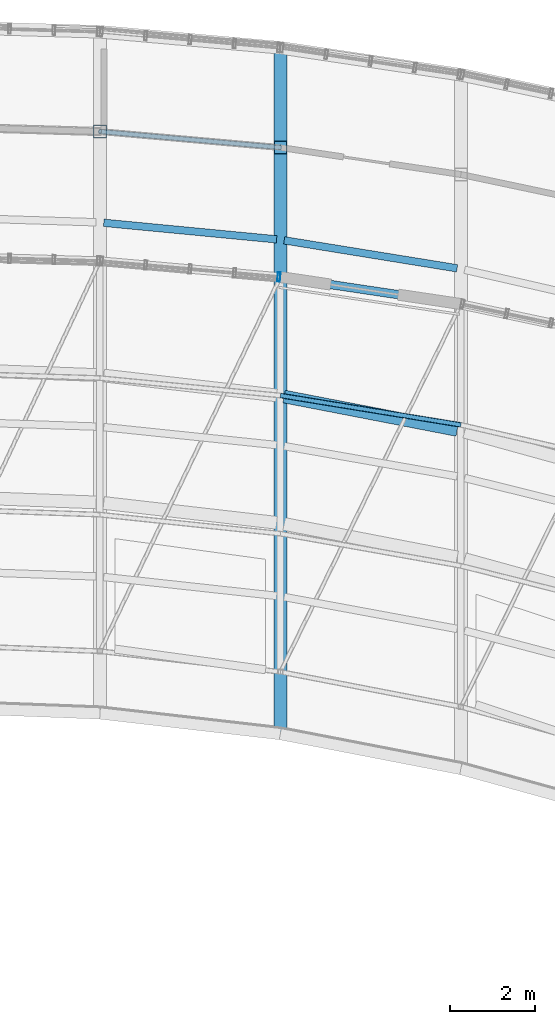
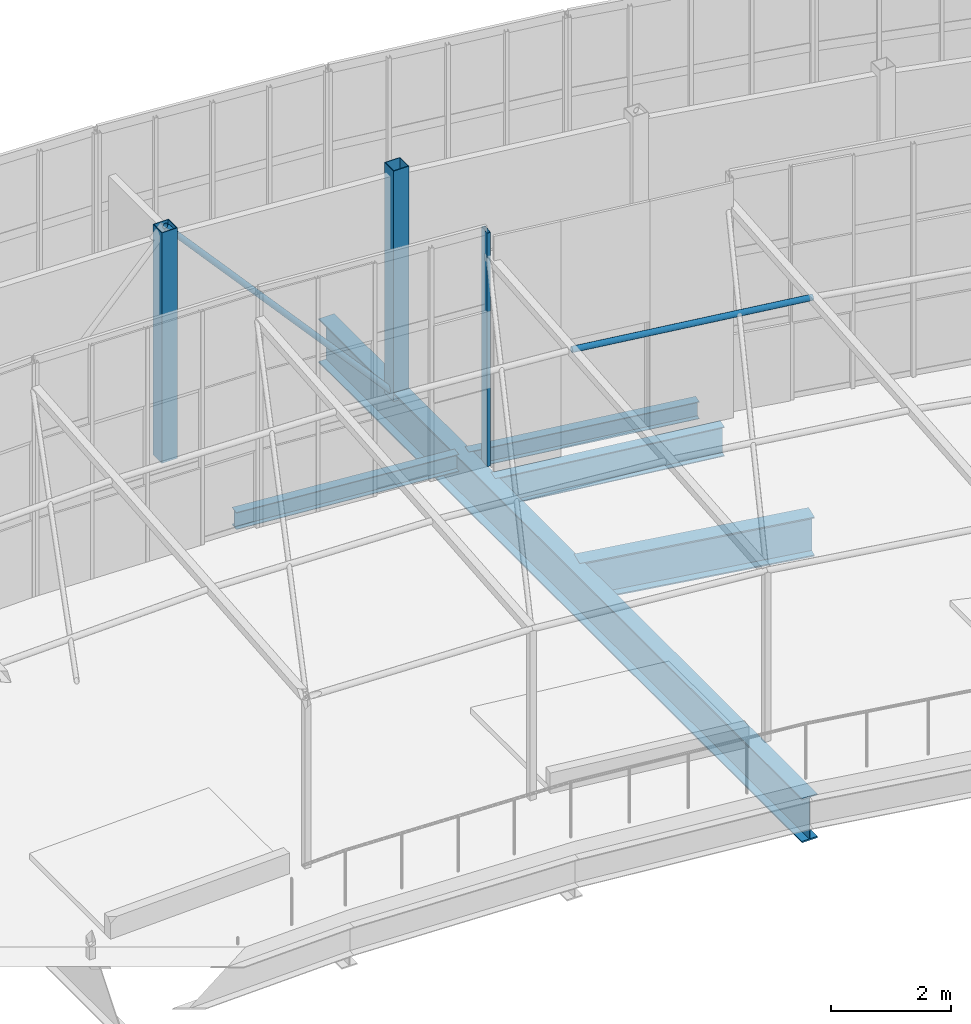
# One storey, part 21 of 35: 5 beams, 5 members, 1 element without a shape of its own.
"""IFC4 building model written with IfcOpenShell, lengths in metres."""

from ifc_helpers import new_model, si_unit, direction, frame, origin, origin_2d, place, context, subcontext, project, spatial, hollow_rectangle, hollow_circle, i_section, extrude, material, material_profile, profile_set, type_object, element, aggregate, save


model = new_model("IFC4")

# Units and contexts
model_context = context("Model", 3, precision=1e-05, world=origin(), true_north=direction((0.0, 1.0)))
body_context = subcontext(model_context, "Body", "Model", "MODEL_VIEW")
ifc_project = project(units=[si_unit("LENGTHUNIT", "METRE"), si_unit("AREAUNIT", "SQUARE_METRE"), si_unit("VOLUMEUNIT", "CUBIC_METRE"), si_unit("PLANEANGLEUNIT", "RADIAN"), si_unit("MASSUNIT", "GRAM", prefix="KILO")], contexts=[model_context])

# Site, building, storey
site_placement = place(None, origin())
site = spatial("IfcSite", under=ifc_project, at=site_placement, CompositionType="ELEMENT")
building_placement = place(site_placement, origin())
building = spatial("IfcBuilding", under=site, at=building_placement, Name="Solvikara Media Centre", CompositionType="ELEMENT")
storey_placement = place(building_placement, frame((0.0, 0.0, 29.39990234375)))
storey = spatial("IfcBuildingStorey", under=building, at=storey_placement, Name="L06", CompositionType="ELEMENT", Elevation=29.39990234375)

# Beams
ifc_material_1 = material(Name="Steel S355JR", Category="steel")
ifc_material_profile_1 = material_profile(ifc_material_1, i_section(OverallWidth=0.300048828125, OverallDepth=0.89990234375, WebThickness=0.01611328125, FlangeThickness=0.028076171875, at=origin_2d()), Name="WF 900x300x16x28")
ifc_profile_set_1 = profile_set([ifc_material_profile_1], Name="Steel S355JR")
beam_type_1 = type_object("IfcBeamType", Name="BM-15", PredefinedType="BEAM", material=ifc_profile_set_1)
beam_1_placement = place(storey_placement, frame((110.5, 24.818115234375, -0.721923828125), z_axis=(0.0, 1.0, 0.0), x_axis=(-1.0, 0.0, 0.0)))
element("IfcBeam", 1, at=beam_1_placement, inside=storey, type_object=beam_type_1, Name="BG-L06-NS-08", PredefinedType="BEAM", context=body_context, shape_type="SweptSolid", body=[
    extrude(i_section(OverallWidth=0.300048828125, OverallDepth=0.89990234375, WebThickness=0.01611328125, FlangeThickness=0.028076171875, at=origin_2d()), origin(), (0.0, 0.0, 1.0), 16.14599609375),
])
ifc_material_profile_2 = material_profile(ifc_material_1, i_section(OverallWidth=0.300048828125, OverallDepth=0.800048828125, WebThickness=0.013916015625, FlangeThickness=0.02587890625, at=origin_2d()), Name="WF 800x300x14x26")
ifc_profile_set_2 = profile_set([ifc_material_profile_2], Name="Steel S355JR")
beam_type_2 = type_object("IfcBeamType", Name="BM-16", PredefinedType="BEAM", material=ifc_profile_set_2)
beam_2_placement = place(storey_placement, frame((110.587890625, 32.7509765625, -0.671875), z_axis=(0.981801087979, -0.189912147171, 0.0), x_axis=(0.189912147171, 0.981801087979, 0.0)))
element("IfcBeam", 2, at=beam_2_placement, inside=storey, type_object=beam_type_2, Name="B-L06-SPNN-08", PredefinedType="BEAM", context=body_context, shape_type="SweptSolid", body=[
    extrude(i_section(OverallWidth=0.300048828125, OverallDepth=0.800048828125, WebThickness=0.013916015625, FlangeThickness=0.02587890625, at=origin_2d()), origin(), (0.0, 0.0, 1.0), 4.149658203125),
])
ifc_material_profile_3 = material_profile(ifc_material_1, i_section(OverallWidth=0.199951171875, OverallDepth=0.60009765625, WebThickness=0.010986328125, FlangeThickness=0.01708984375, at=origin_2d()), Name="WF 600x200x11x17")
ifc_profile_set_3 = profile_set([ifc_material_profile_3], Name="Steel S355JR")
beam_type_3 = type_object("IfcBeamType", Name="BM-18", PredefinedType="BEAM", material=ifc_profile_set_3)
beam_3_placement = place(storey_placement, frame((110.589111328125, 35.551025390625, -0.572021484375), z_axis=(0.98899456098, -0.147951878501, 0.0), x_axis=(0.147951878501, 0.98899456098, 0.0)))
element("IfcBeam", 3, at=beam_3_placement, inside=storey, type_object=beam_type_3, Name="BG-L06-GAL-09", PredefinedType="BEAM", context=body_context, shape_type="SweptSolid", body=[
    extrude(i_section(OverallWidth=0.199951171875, OverallDepth=0.60009765625, WebThickness=0.010986328125, FlangeThickness=0.01708984375, at=origin_2d()), origin(), (0.0, 0.0, 1.0), 4.1171875),
])
ifc_material_profile_4 = material_profile(ifc_material_1, i_section(OverallWidth=0.175048828125, OverallDepth=0.35009765625, WebThickness=0.007080078125, FlangeThickness=0.010986328125, at=origin_2d()), Name="WF 350x175x7x11")
ifc_profile_set_4 = profile_set([ifc_material_profile_4], Name="Steel S355JR")
beam_type_4 = type_object("IfcBeamType", Name="BM-22", PredefinedType="JOIST", material=ifc_profile_set_4)
beam_4_placement = place(storey_placement, frame((106.340087890625, 36.842041015625, -0.44482421875), z_axis=(0.995436776487, -0.095423393451, 0.0), x_axis=(0.095423393451, 0.995436776487, 0.0)))
element("IfcBeam", 4, at=beam_4_placement, inside=storey, type_object=beam_type_4, Name="BJ-L06-07-72", PredefinedType="JOIST", context=body_context, shape_type="SweptSolid", body=[
    extrude(i_section(OverallWidth=0.175048828125, OverallDepth=0.35009765625, WebThickness=0.007080078125, FlangeThickness=0.010986328125, at=origin_2d()), origin(), (0.0, 0.0, 1.0), 4.08837890625),
])
beam_5_placement = place(storey_placement, frame((110.589111328125, 36.428955078125, -0.44482421875), z_axis=(0.987157242896, -0.159751612818, 0.0), x_axis=(0.159751612818, 0.987157242896, 0.0)))
element("IfcBeam", 5, at=beam_5_placement, inside=storey, type_object=beam_type_4, Name="BJ-L06-08-72", PredefinedType="JOIST", context=body_context, shape_type="SweptSolid", body=[
    extrude(i_section(OverallWidth=0.175048828125, OverallDepth=0.35009765625, WebThickness=0.007080078125, FlangeThickness=0.010986328125, at=origin_2d()), origin(), (0.0, 0.0, 1.0), 4.124755859375),
])

# Members
ifc_material_profile_5 = material_profile(ifc_material_1, hollow_circle(Radius=0.05712890625, WallThickness=0.006103515625, at=origin_2d()), Name="CHS 114.3x6")
ifc_profile_set_5 = profile_set([ifc_material_profile_5], Name="Steel S355JR")
member_type_1 = type_object("IfcMemberType", Name="MB-09", PredefinedType="BRACE", material=ifc_profile_set_5)
member_1_placement = place(storey_placement, frame((106.25, 38.990966796875, 4.25), z_axis=(0.669526873178, -0.059383587557, -0.740410261693), x_axis=(0.088348026597, 0.996089667749, 0.0)))
element("IfcMember", 6, at=member_1_placement, inside=storey, type_object=member_type_1, Name="SKY-TR-M-DB07", PredefinedType="BRACE", context=body_context, shape_type="SweptSolid", body=[
    extrude(hollow_circle(Radius=0.05712890625, WallThickness=0.006103515625, at=origin_2d()), origin(), (0.0, 0.0, 1.0), 6.34765625),
])
member_2_placement = place(storey_placement, frame((110.5, 32.77490234375, 4.010009765625), z_axis=(0.987041960256, -0.160462359118, 0.0), x_axis=(0.160462359118, 0.987041960256, 0.0)))
element("IfcMember", 7, at=member_2_placement, inside=storey, type_object=member_type_1, Name="PERG-LVR-09-70", PredefinedType="BRACE", context=body_context, shape_type="SweptSolid", body=[
    extrude(hollow_circle(Radius=0.05712890625, WallThickness=0.006103515625, at=origin_2d()), origin(), (0.0, 0.0, 1.0), 4.305908203125),
])
ifc_material_profile_6 = material_profile(ifc_material_1, hollow_rectangle(XDim=0.300048828125, YDim=0.300048828125, WallThickness=0.012451171875, at=origin_2d()), Name="RHS 300x300x12.5")
ifc_profile_set_6 = profile_set([ifc_material_profile_6], Name="Steel S355JR")
member_type_2 = type_object("IfcMemberType", Name="MB-11", PredefinedType="CHORD", material=ifc_profile_set_6)
for number, where, z_axis, x_axis, name in (
    (8, (106.25, 38.990966796875, -0.449951171875), (0.0, 0.0, 1.0), (1.0, 0.0, 0.0), "SKY-TR-M-V07"),
    (9, (110.5, 38.614013671875, -0.449951171875), (0.0, 0.0, 1.0), (1.0, 0.0, 0.0), "SKY-TR-M-V08"),
):
    element("IfcMember", number, at=place(storey_placement, frame(where, z_axis=z_axis, x_axis=x_axis)), inside=storey, type_object=member_type_2, Name=name, PredefinedType="CHORD", context=body_context, shape_type="SweptSolid", body=[
        extrude(hollow_rectangle(XDim=0.300048828125, YDim=0.300048828125, WallThickness=0.012451171875, at=origin_2d()), origin(), (0.0, 0.0, 1.0), 4.699951171875),
    ])

# Curtain wall, member
ifc_material_2 = material(Name="Anodised aluminium EN AW-6063", Category="aluminium")
curtain_wall_type = type_object("IfcCurtainWallType", Name="CW-13", PredefinedType="NOTDEFINED", material=ifc_material_2)
curtain_wall_placement = place(storey_placement, origin())
curtain_wall = element("IfcCurtainWall", 10, at=curtain_wall_placement, inside=storey, type_object=curtain_wall_type, Name="CW-L06-GALS-07", PredefinedType="NOTDEFINED")
ifc_material_profile_7 = material_profile(ifc_material_2, hollow_rectangle(XDim=0.06494140625, YDim=0.219970703125, WallThickness=0.00390625, at=origin_2d()), Name="ALU-M 65x220x4")
ifc_profile_set_7 = profile_set([ifc_material_profile_7], Name="Anodised aluminium EN AW-6063")
member_type_3 = type_object("IfcMemberType", Name="MF-01", PredefinedType="MULLION", material=ifc_profile_set_7)
member_3_placement = place(storey_placement, frame((110.465087890625, 35.56689453125, 0.02001953125), z_axis=(0.0, 0.0, 1.0), x_axis=(0.99608438842, -0.088407528781, 0.0)))
member_3 = element("IfcMember", 11, at=member_3_placement, type_object=member_type_3, Name="CW-L06-GALS-07-M04", PredefinedType="MULLION", context=body_context, shape_type="SweptSolid", body=[
    extrude(hollow_rectangle(XDim=0.06494140625, YDim=0.219970703125, WallThickness=0.00390625, at=origin_2d()), origin(), (0.0, 0.0, 1.0), 4.760009765625),
])
aggregate(curtain_wall, [member_3])

save(model, "model.ifc")
